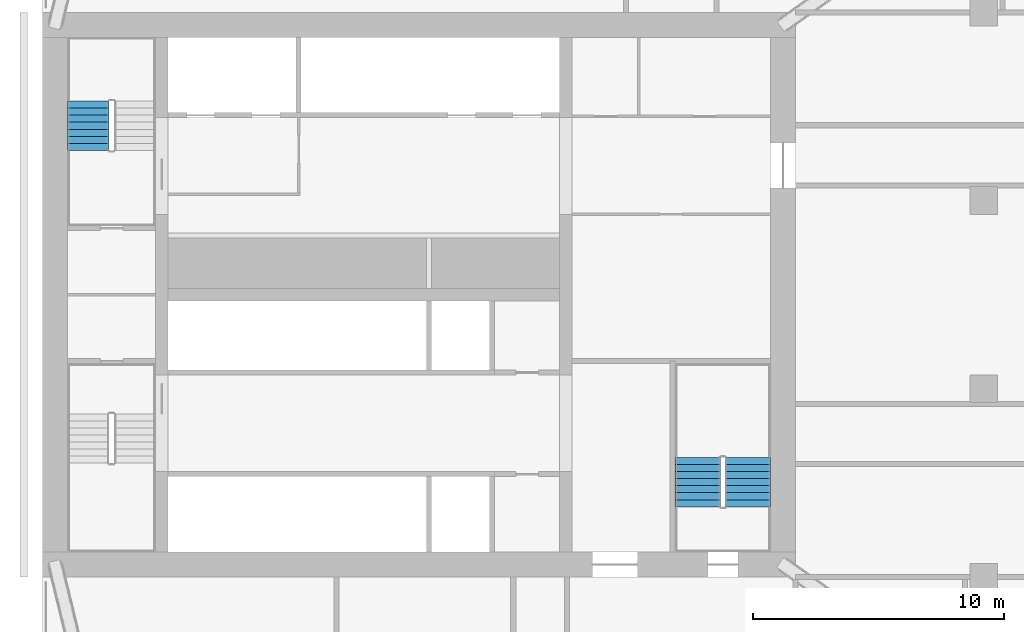
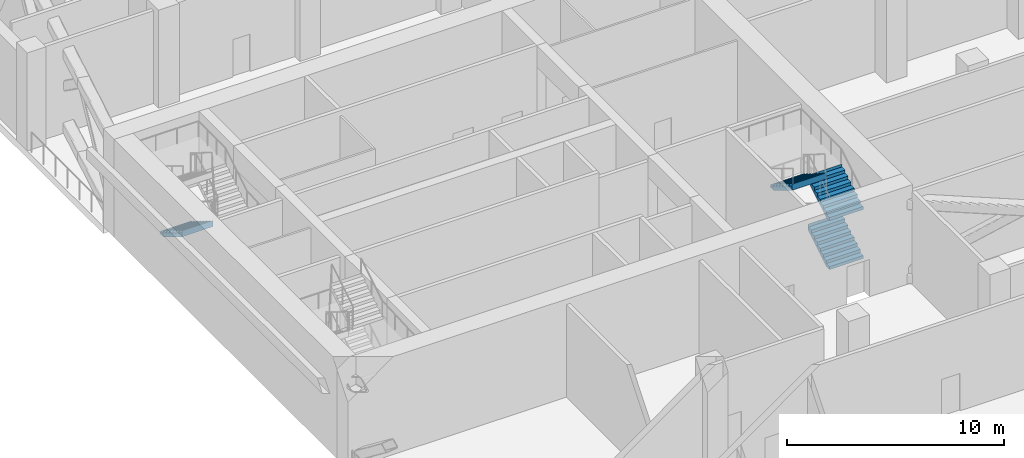
# One storey, part 7 of 10: 4 stair flights, 2 elements without a shape of their own.
"""IFC4 building model written with IfcOpenShell, lengths in metres."""

from ifc_helpers import new_model, si_unit, direction, frame, origin, place, context, subcontext, project, spatial, polyline, outline, extrude, material, type_object, element, aggregate, save


model = new_model("IFC4")

# Units and contexts
model_context = context("Model", 3, precision=1e-05, world=origin(), true_north=direction((0.0, 1.0)))
body_context = subcontext(model_context, "Body", "Model", "MODEL_VIEW")
ifc_project = project(units=[si_unit("LENGTHUNIT", "METRE"), si_unit("AREAUNIT", "SQUARE_METRE"), si_unit("VOLUMEUNIT", "CUBIC_METRE"), si_unit("PLANEANGLEUNIT", "RADIAN"), si_unit("MASSUNIT", "GRAM", prefix="KILO")], contexts=[model_context])

# Site, building, storey
site_placement = place(None, origin())
site = spatial("IfcSite", under=ifc_project, at=site_placement, CompositionType="ELEMENT")
building_placement = place(site_placement, origin())
building = spatial("IfcBuilding", under=site, at=building_placement, Name="Tamorin Gate", CompositionType="ELEMENT")
storey_placement = place(building_placement, frame((0.0, 0.0, 118.699951171875)))
storey = spatial("IfcBuildingStorey", under=building, at=storey_placement, Name="L29", CompositionType="ELEMENT", Elevation=118.699951171875)

# Stair, stair flight
ifc_material = material(Name="Concrete C40/50", Category="concrete")
stair_type = type_object("IfcStairType", Name="Exit stair", PredefinedType="HALF_TURN_STAIR", material=ifc_material)
stair_1_placement = place(storey_placement, origin())
stair_1 = element("IfcStair", 1, at=stair_1_placement, inside=storey, type_object=stair_type, Name="L29 stair ST2", PredefinedType="HALF_TURN_STAIR")
stair_flight_type = type_object("IfcStairFlightType", Name="Exit stair flight", PredefinedType="STRAIGHT", material=ifc_material)
stair_flight_1_placement = place(storey_placement, frame((31.824951171875, 78.9599609375, 1.375), z_axis=(0.0, 0.0, 1.0), x_axis=(0.0, -1.0, 0.0)))
stair_flight_1 = element("IfcStairFlight", 2, at=stair_flight_1_placement, type_object=stair_flight_type, Name="ST2 flight 2", NumberOfRisers=8, NumberOfTreads=7, PredefinedType="STRAIGHT", RiserHeight=0.171875, TreadLength=0.28, context=body_context, shape_type="SweptSolid", body=[
    extrude(outline(polyline([(-0.00048828125, 0.0), (-0.00048828125, 0.001708984375), (-0.00048828125, 0.00341796875), (-0.00048828125, 0.005126953125), (-0.00048828125, 0.0068359375), (-0.00048828125, 0.008544921875), (-0.00048828125, 0.01025390625), (-0.00048828125, 0.011962890625), (-0.00048828125, 0.013671875), (-0.00048828125, 0.015380859375), (-0.00048828125, 0.01708984375), (-0.00048828125, 0.018798828125), (-0.00048828125, 0.0205078125), (-0.00048828125, 0.022216796875), (-0.00048828125, 0.02392578125), (-0.00048828125, 0.025634765625), (-0.00048828125, 0.02734375), (-0.00048828125, 0.02880859375), (-0.00048828125, 0.030517578125), (-0.00048828125, 0.0322265625), (-0.00048828125, 0.033935546875), (-0.00048828125, 0.03564453125), (-0.00048828125, 0.037353515625), (-0.00048828125, 0.0390625), (-0.00048828125, 0.040771484375), (-0.00048828125, 0.04248046875), (-0.00048828125, 0.044189453125), (-0.00048828125, 0.0458984375), (-0.00048828125, 0.047607421875), (-0.00048828125, 0.04931640625), (-0.00048828125, 0.051025390625), (-0.00048828125, 0.052734375), (-0.00048828125, 0.054443359375), (-0.00048828125, 0.05615234375), (-0.00048828125, 0.057861328125), (-0.00048828125, 0.0595703125), (-0.00048828125, 0.061279296875), (-0.00048828125, 0.06298828125), (-0.00048828125, 0.064697265625), (-0.00048828125, 0.06640625), (-0.00048828125, 0.068115234375), (-0.00048828125, 0.06982421875), (-0.00048828125, 0.071533203125), (-0.00048828125, 0.0732421875), (-0.00048828125, 0.074951171875), (-0.00048828125, 0.07666015625), (-0.00048828125, 0.078369140625), (-0.00048828125, 0.080078125), (-0.00048828125, 0.081787109375), (-0.00048828125, 0.08349609375), (-0.00048828125, 0.085205078125), (-0.00048828125, 0.086669921875), (-0.00048828125, 0.08837890625), (-0.00048828125, 0.090087890625), (-0.00048828125, 0.091796875), (-0.00048828125, 0.093505859375), (-0.00048828125, 0.09521484375), (-0.00048828125, 0.096923828125), (-0.00048828125, 0.0986328125), (-0.00048828125, 0.100341796875), (-0.00048828125, 0.10205078125), (-0.00048828125, 0.103759765625), (-0.00048828125, 0.10546875), (-0.00048828125, 0.107177734375), (-0.00048828125, 0.10888671875), (-0.00048828125, 0.110595703125), (-0.00048828125, 0.1123046875), (-0.00048828125, 0.114013671875), (-0.00048828125, 0.11572265625), (-0.00048828125, 0.117431640625), (-0.00048828125, 0.119140625), (-0.00048828125, 0.120849609375), (-0.00048828125, 0.12255859375), (-0.00048828125, 0.124267578125), (-0.00048828125, 0.1259765625), (-0.00048828125, 0.127685546875), (-0.00048828125, 0.12939453125), (-0.00048828125, 0.131103515625), (-0.00048828125, 0.1328125), (-0.00048828125, 0.134521484375), (-0.00048828125, 0.13623046875), (-0.00048828125, 0.137939453125), (-0.00048828125, 0.1396484375), (-0.00048828125, 0.141357421875), (-0.00048828125, 0.14306640625), (-0.00048828125, 0.14453125), (-0.00048828125, 0.146240234375), (-0.00048828125, 0.14794921875), (-0.00048828125, 0.149658203125), (-0.00048828125, 0.1513671875), (-0.00048828125, 0.153076171875), (-0.00048828125, 0.15478515625), (-0.00048828125, 0.156494140625), (-0.00048828125, 0.158203125), (-0.00048828125, 0.159912109375), (-0.00048828125, 0.16162109375), (-0.00048828125, 0.163330078125), (-0.00048828125, 0.1650390625), (-0.00048828125, 0.166748046875), (-0.00048828125, 0.16845703125), (-0.00048828125, 0.170166015625), (-0.00048828125, 0.171875), (0.280029296875, 0.171875), (0.280029296875, 0.34375), (0.56005859375, 0.34375), (0.56005859375, 0.515625), (0.840087890625, 0.515625), (0.840087890625, 0.6875), (1.1201171875, 0.6875), (1.1201171875, 0.859375), (1.39990234375, 0.859375), (1.39990234375, 1.03125), (1.679931640625, 1.03125), (1.679931640625, 1.203125), (1.9599609375, 1.203125), (1.9599609375, 1.375), (1.96044921875, 1.375), (1.96044921875, 1.37158203125), (1.96044921875, 1.3681640625), (1.96044921875, 1.36474609375), (1.96044921875, 1.361328125), (1.96044921875, 1.357666015625), (1.96044921875, 1.354248046875), (1.96044921875, 1.350830078125), (1.96044921875, 1.347412109375), (1.96044921875, 1.343994140625), (1.96044921875, 1.340576171875), (1.96044921875, 1.337158203125), (1.96044921875, 1.333740234375), (1.96044921875, 1.330322265625), (1.96044921875, 1.326904296875), (1.96044921875, 1.3232421875), (1.96044921875, 1.31982421875), (1.96044921875, 1.31640625), (1.96044921875, 1.31298828125), (1.96044921875, 1.3095703125), (1.96044921875, 1.30615234375), (1.96044921875, 1.302734375), (1.96044921875, 1.29931640625), (1.96044921875, 1.2958984375), (1.96044921875, 1.29248046875), (1.96044921875, 1.288818359375), (1.96044921875, 1.285400390625), (1.96044921875, 1.281982421875), (1.96044921875, 1.278564453125), (1.96044921875, 1.275146484375), (1.96044921875, 1.271728515625), (1.96044921875, 1.268310546875), (1.96044921875, 1.264892578125), (1.96044921875, 1.261474609375), (1.96044921875, 1.2578125), (1.96044921875, 1.25439453125), (1.96044921875, 1.2509765625), (1.96044921875, 1.24755859375), (1.96044921875, 1.244140625), (1.96044921875, 1.24072265625), (1.96044921875, 1.2373046875), (1.96044921875, 1.23388671875), (1.96044921875, 1.23046875), (1.96044921875, 1.22705078125), (1.96044921875, 1.223388671875), (1.96044921875, 1.219970703125), (1.96044921875, 1.216552734375), (1.96044921875, 1.213134765625), (1.96044921875, 1.209716796875), (1.96044921875, 1.206298828125), (1.96044921875, 1.202880859375), (1.96044921875, 1.199462890625), (1.96044921875, 1.196044921875), (1.96044921875, 1.192626953125), (1.96044921875, 1.18896484375), (1.96044921875, 1.185546875), (1.96044921875, 1.18212890625), (1.96044921875, 1.1787109375), (1.96044921875, 1.17529296875), (1.96044921875, 1.171875), (1.96044921875, 1.16845703125), (1.96044921875, 1.1650390625), (1.96044921875, 1.16162109375), (1.96044921875, 1.157958984375), (1.96044921875, 1.154541015625), (1.96044921875, 1.151123046875), (1.96044921875, 1.147705078125), (1.96044921875, 1.144287109375), (1.96044921875, 1.140869140625), (1.96044921875, 1.137451171875), (1.96044921875, 1.134033203125), (1.96044921875, 1.130615234375), (1.96044921875, 1.127197265625), (1.96044921875, 1.12353515625), (1.96044921875, 1.1201171875), (1.96044921875, 1.11669921875), (1.96044921875, 1.11328125), (1.96044921875, 1.10986328125), (1.96044921875, 1.1064453125), (1.96044921875, 1.10302734375), (1.96044921875, 1.099609375), (1.96044921875, 1.09619140625), (1.96044921875, 1.0927734375), (1.96044921875, 1.089111328125), (1.96044921875, 1.085693359375), (1.96044921875, 1.082275390625), (1.96044921875, 1.078857421875), (1.96044921875, 1.075439453125), (1.96044921875, 1.072021484375), (1.96044921875, 1.068603515625), (1.96044921875, 1.065185546875), (1.96044921875, 1.061767578125), (1.96044921875, 1.05810546875), (1.96044921875, 1.0546875), (1.96044921875, 1.05126953125), (1.96044921875, 1.0478515625), (1.96044921875, 1.04443359375), (1.96044921875, 1.041015625), (1.96044921875, 1.03759765625), (1.96044921875, 1.0341796875), (1.96044921875, 1.03076171875), (1.96044921875, 1.02734375), (1.9599609375, 1.02734375), (0.28662109375, 0.0), (-0.00048828125, 0.0)])), frame((0.0, 0.824951171875, 0.0), z_axis=(0.0, -1.0, 0.0), x_axis=(1.0, 0.0, 0.0)), (0.0, 0.0, 1.0), 1.64990234375),
])
aggregate(stair_1, [stair_flight_1])

# Stair, stair flights
stair_2_placement = place(storey_placement, origin())
stair_2 = element("IfcStair", 3, at=stair_2_placement, inside=storey, type_object=stair_type, Name="L29 stair ST3", PredefinedType="HALF_TURN_STAIR")
stair_flight_2_placement = place(storey_placement, frame((58.10009765625, 62.800048828125, 0.0), z_axis=(0.0, 0.0, 1.0), x_axis=(0.0, 1.0, 0.0)))
stair_flight_2 = element("IfcStairFlight", 4, at=stair_flight_2_placement, type_object=stair_flight_type, Name="ST3 flight 1", NumberOfRisers=8, NumberOfTreads=7, PredefinedType="STRAIGHT", RiserHeight=0.171875, TreadLength=0.28, context=body_context, shape_type="SweptSolid", body=[
    extrude(outline(polyline([(-0.00048828125, 0.0), (-0.00048828125, 0.001708984375), (-0.00048828125, 0.00341796875), (-0.00048828125, 0.005126953125), (-0.00048828125, 0.0068359375), (-0.00048828125, 0.008544921875), (-0.00048828125, 0.01025390625), (-0.00048828125, 0.011962890625), (-0.00048828125, 0.013671875), (-0.00048828125, 0.015380859375), (-0.00048828125, 0.01708984375), (-0.00048828125, 0.018798828125), (-0.00048828125, 0.0205078125), (-0.00048828125, 0.022216796875), (-0.00048828125, 0.02392578125), (-0.00048828125, 0.025634765625), (-0.00048828125, 0.02734375), (-0.00048828125, 0.02880859375), (-0.00048828125, 0.030517578125), (-0.00048828125, 0.0322265625), (-0.00048828125, 0.033935546875), (-0.00048828125, 0.03564453125), (-0.00048828125, 0.037353515625), (-0.00048828125, 0.0390625), (-0.00048828125, 0.040771484375), (-0.00048828125, 0.04248046875), (-0.00048828125, 0.044189453125), (-0.00048828125, 0.0458984375), (-0.00048828125, 0.047607421875), (-0.00048828125, 0.04931640625), (-0.00048828125, 0.051025390625), (-0.00048828125, 0.052734375), (-0.00048828125, 0.054443359375), (-0.00048828125, 0.05615234375), (-0.00048828125, 0.057861328125), (-0.00048828125, 0.0595703125), (-0.00048828125, 0.061279296875), (-0.00048828125, 0.06298828125), (-0.00048828125, 0.064697265625), (-0.00048828125, 0.06640625), (-0.00048828125, 0.068115234375), (-0.00048828125, 0.06982421875), (-0.00048828125, 0.071533203125), (-0.00048828125, 0.0732421875), (-0.00048828125, 0.074951171875), (-0.00048828125, 0.07666015625), (-0.00048828125, 0.078369140625), (-0.00048828125, 0.080078125), (-0.00048828125, 0.081787109375), (-0.00048828125, 0.08349609375), (-0.00048828125, 0.085205078125), (-0.00048828125, 0.086669921875), (-0.00048828125, 0.08837890625), (-0.00048828125, 0.090087890625), (-0.00048828125, 0.091796875), (-0.00048828125, 0.093505859375), (-0.00048828125, 0.09521484375), (-0.00048828125, 0.096923828125), (-0.00048828125, 0.0986328125), (-0.00048828125, 0.100341796875), (-0.00048828125, 0.10205078125), (-0.00048828125, 0.103759765625), (-0.00048828125, 0.10546875), (-0.00048828125, 0.107177734375), (-0.00048828125, 0.10888671875), (-0.00048828125, 0.110595703125), (-0.00048828125, 0.1123046875), (-0.00048828125, 0.114013671875), (-0.00048828125, 0.11572265625), (-0.00048828125, 0.117431640625), (-0.00048828125, 0.119140625), (-0.00048828125, 0.120849609375), (-0.00048828125, 0.12255859375), (-0.00048828125, 0.124267578125), (-0.00048828125, 0.1259765625), (-0.00048828125, 0.127685546875), (-0.00048828125, 0.12939453125), (-0.00048828125, 0.131103515625), (-0.00048828125, 0.1328125), (-0.00048828125, 0.134521484375), (-0.00048828125, 0.13623046875), (-0.00048828125, 0.137939453125), (-0.00048828125, 0.1396484375), (-0.00048828125, 0.141357421875), (-0.00048828125, 0.14306640625), (-0.00048828125, 0.14453125), (-0.00048828125, 0.146240234375), (-0.00048828125, 0.14794921875), (-0.00048828125, 0.149658203125), (-0.00048828125, 0.1513671875), (-0.00048828125, 0.153076171875), (-0.00048828125, 0.15478515625), (-0.00048828125, 0.156494140625), (-0.00048828125, 0.158203125), (-0.00048828125, 0.159912109375), (-0.00048828125, 0.16162109375), (-0.00048828125, 0.163330078125), (-0.00048828125, 0.1650390625), (-0.00048828125, 0.166748046875), (-0.00048828125, 0.16845703125), (-0.00048828125, 0.170166015625), (-0.00048828125, 0.171875), (0.280029296875, 0.171875), (0.280029296875, 0.34375), (0.56005859375, 0.34375), (0.56005859375, 0.515625), (0.840087890625, 0.515625), (0.840087890625, 0.6875), (1.1201171875, 0.6875), (1.1201171875, 0.859375), (1.39990234375, 0.859375), (1.39990234375, 1.03125), (1.679931640625, 1.03125), (1.679931640625, 1.203125), (1.9599609375, 1.203125), (1.9599609375, 1.375), (1.96044921875, 1.375), (1.96044921875, 1.37158203125), (1.96044921875, 1.3681640625), (1.96044921875, 1.36474609375), (1.96044921875, 1.361328125), (1.96044921875, 1.357666015625), (1.96044921875, 1.354248046875), (1.96044921875, 1.350830078125), (1.96044921875, 1.347412109375), (1.96044921875, 1.343994140625), (1.96044921875, 1.340576171875), (1.96044921875, 1.337158203125), (1.96044921875, 1.333740234375), (1.96044921875, 1.330322265625), (1.96044921875, 1.326904296875), (1.96044921875, 1.3232421875), (1.96044921875, 1.31982421875), (1.96044921875, 1.31640625), (1.96044921875, 1.31298828125), (1.96044921875, 1.3095703125), (1.96044921875, 1.30615234375), (1.96044921875, 1.302734375), (1.96044921875, 1.29931640625), (1.96044921875, 1.2958984375), (1.96044921875, 1.29248046875), (1.96044921875, 1.288818359375), (1.96044921875, 1.285400390625), (1.96044921875, 1.281982421875), (1.96044921875, 1.278564453125), (1.96044921875, 1.275146484375), (1.96044921875, 1.271728515625), (1.96044921875, 1.268310546875), (1.96044921875, 1.264892578125), (1.96044921875, 1.261474609375), (1.96044921875, 1.2578125), (1.96044921875, 1.25439453125), (1.96044921875, 1.2509765625), (1.96044921875, 1.24755859375), (1.96044921875, 1.244140625), (1.96044921875, 1.24072265625), (1.96044921875, 1.2373046875), (1.96044921875, 1.23388671875), (1.96044921875, 1.23046875), (1.96044921875, 1.22705078125), (1.96044921875, 1.223388671875), (1.96044921875, 1.219970703125), (1.96044921875, 1.216552734375), (1.96044921875, 1.213134765625), (1.96044921875, 1.209716796875), (1.96044921875, 1.206298828125), (1.96044921875, 1.202880859375), (1.96044921875, 1.199462890625), (1.96044921875, 1.196044921875), (1.96044921875, 1.192626953125), (1.96044921875, 1.18896484375), (1.96044921875, 1.185546875), (1.96044921875, 1.18212890625), (1.96044921875, 1.1787109375), (1.96044921875, 1.17529296875), (1.96044921875, 1.171875), (1.96044921875, 1.16845703125), (1.96044921875, 1.1650390625), (1.96044921875, 1.16162109375), (1.96044921875, 1.157958984375), (1.96044921875, 1.154541015625), (1.96044921875, 1.151123046875), (1.96044921875, 1.147705078125), (1.96044921875, 1.144287109375), (1.96044921875, 1.140869140625), (1.96044921875, 1.137451171875), (1.96044921875, 1.134033203125), (1.96044921875, 1.130615234375), (1.96044921875, 1.127197265625), (1.96044921875, 1.12353515625), (1.96044921875, 1.1201171875), (1.96044921875, 1.11669921875), (1.96044921875, 1.11328125), (1.96044921875, 1.10986328125), (1.96044921875, 1.1064453125), (1.96044921875, 1.10302734375), (1.96044921875, 1.099609375), (1.96044921875, 1.09619140625), (1.96044921875, 1.0927734375), (1.96044921875, 1.089111328125), (1.96044921875, 1.085693359375), (1.96044921875, 1.082275390625), (1.96044921875, 1.078857421875), (1.96044921875, 1.075439453125), (1.96044921875, 1.072021484375), (1.96044921875, 1.068603515625), (1.96044921875, 1.065185546875), (1.96044921875, 1.061767578125), (1.96044921875, 1.05810546875), (1.96044921875, 1.0546875), (1.96044921875, 1.05126953125), (1.96044921875, 1.0478515625), (1.96044921875, 1.04443359375), (1.96044921875, 1.041015625), (1.96044921875, 1.03759765625), (1.96044921875, 1.0341796875), (1.96044921875, 1.03076171875), (1.96044921875, 1.02734375), (1.9599609375, 1.02734375), (0.28662109375, 0.0), (-0.00048828125, 0.0)])), frame((0.0, 0.89990234375, 0.0), z_axis=(0.0, -1.0, 0.0), x_axis=(1.0, 0.0, 0.0)), (0.0, 0.0, 1.0), 1.800048828125),
])
stair_flight_3_placement = place(storey_placement, frame((58.10009765625, 62.800048828125, 2.75), z_axis=(0.0, 0.0, 1.0), x_axis=(0.0, 1.0, 0.0)))
stair_flight_3 = element("IfcStairFlight", 5, at=stair_flight_3_placement, type_object=stair_flight_type, Name="ST3 flight 3", NumberOfRisers=8, NumberOfTreads=7, PredefinedType="STRAIGHT", RiserHeight=0.171875, TreadLength=0.28, context=body_context, shape_type="SweptSolid", body=[
    extrude(outline(polyline([(-0.00048828125, 0.0), (-0.00048828125, 0.001708984375), (-0.00048828125, 0.00341796875), (-0.00048828125, 0.005126953125), (-0.00048828125, 0.0068359375), (-0.00048828125, 0.008544921875), (-0.00048828125, 0.01025390625), (-0.00048828125, 0.011962890625), (-0.00048828125, 0.013671875), (-0.00048828125, 0.015380859375), (-0.00048828125, 0.01708984375), (-0.00048828125, 0.018798828125), (-0.00048828125, 0.0205078125), (-0.00048828125, 0.022216796875), (-0.00048828125, 0.02392578125), (-0.00048828125, 0.025634765625), (-0.00048828125, 0.02734375), (-0.00048828125, 0.02880859375), (-0.00048828125, 0.030517578125), (-0.00048828125, 0.0322265625), (-0.00048828125, 0.033935546875), (-0.00048828125, 0.03564453125), (-0.00048828125, 0.037353515625), (-0.00048828125, 0.0390625), (-0.00048828125, 0.040771484375), (-0.00048828125, 0.04248046875), (-0.00048828125, 0.044189453125), (-0.00048828125, 0.0458984375), (-0.00048828125, 0.047607421875), (-0.00048828125, 0.04931640625), (-0.00048828125, 0.051025390625), (-0.00048828125, 0.052734375), (-0.00048828125, 0.054443359375), (-0.00048828125, 0.05615234375), (-0.00048828125, 0.057861328125), (-0.00048828125, 0.0595703125), (-0.00048828125, 0.061279296875), (-0.00048828125, 0.06298828125), (-0.00048828125, 0.064697265625), (-0.00048828125, 0.06640625), (-0.00048828125, 0.068115234375), (-0.00048828125, 0.06982421875), (-0.00048828125, 0.071533203125), (-0.00048828125, 0.0732421875), (-0.00048828125, 0.074951171875), (-0.00048828125, 0.07666015625), (-0.00048828125, 0.078369140625), (-0.00048828125, 0.080078125), (-0.00048828125, 0.081787109375), (-0.00048828125, 0.08349609375), (-0.00048828125, 0.085205078125), (-0.00048828125, 0.086669921875), (-0.00048828125, 0.08837890625), (-0.00048828125, 0.090087890625), (-0.00048828125, 0.091796875), (-0.00048828125, 0.093505859375), (-0.00048828125, 0.09521484375), (-0.00048828125, 0.096923828125), (-0.00048828125, 0.0986328125), (-0.00048828125, 0.100341796875), (-0.00048828125, 0.10205078125), (-0.00048828125, 0.103759765625), (-0.00048828125, 0.10546875), (-0.00048828125, 0.107177734375), (-0.00048828125, 0.10888671875), (-0.00048828125, 0.110595703125), (-0.00048828125, 0.1123046875), (-0.00048828125, 0.114013671875), (-0.00048828125, 0.11572265625), (-0.00048828125, 0.117431640625), (-0.00048828125, 0.119140625), (-0.00048828125, 0.120849609375), (-0.00048828125, 0.12255859375), (-0.00048828125, 0.124267578125), (-0.00048828125, 0.1259765625), (-0.00048828125, 0.127685546875), (-0.00048828125, 0.12939453125), (-0.00048828125, 0.131103515625), (-0.00048828125, 0.1328125), (-0.00048828125, 0.134521484375), (-0.00048828125, 0.13623046875), (-0.00048828125, 0.137939453125), (-0.00048828125, 0.1396484375), (-0.00048828125, 0.141357421875), (-0.00048828125, 0.14306640625), (-0.00048828125, 0.14453125), (-0.00048828125, 0.146240234375), (-0.00048828125, 0.14794921875), (-0.00048828125, 0.149658203125), (-0.00048828125, 0.1513671875), (-0.00048828125, 0.153076171875), (-0.00048828125, 0.15478515625), (-0.00048828125, 0.156494140625), (-0.00048828125, 0.158203125), (-0.00048828125, 0.159912109375), (-0.00048828125, 0.16162109375), (-0.00048828125, 0.163330078125), (-0.00048828125, 0.1650390625), (-0.00048828125, 0.166748046875), (-0.00048828125, 0.16845703125), (-0.00048828125, 0.170166015625), (-0.00048828125, 0.171875), (0.280029296875, 0.171875), (0.280029296875, 0.34375), (0.56005859375, 0.34375), (0.56005859375, 0.515625), (0.840087890625, 0.515625), (0.840087890625, 0.6875), (1.1201171875, 0.6875), (1.1201171875, 0.859375), (1.39990234375, 0.859375), (1.39990234375, 1.03125), (1.679931640625, 1.03125), (1.679931640625, 1.203125), (1.9599609375, 1.203125), (1.9599609375, 1.375), (1.96044921875, 1.375), (1.96044921875, 1.37158203125), (1.96044921875, 1.3681640625), (1.96044921875, 1.36474609375), (1.96044921875, 1.361328125), (1.96044921875, 1.357666015625), (1.96044921875, 1.354248046875), (1.96044921875, 1.350830078125), (1.96044921875, 1.347412109375), (1.96044921875, 1.343994140625), (1.96044921875, 1.340576171875), (1.96044921875, 1.337158203125), (1.96044921875, 1.333740234375), (1.96044921875, 1.330322265625), (1.96044921875, 1.326904296875), (1.96044921875, 1.3232421875), (1.96044921875, 1.31982421875), (1.96044921875, 1.31640625), (1.96044921875, 1.31298828125), (1.96044921875, 1.3095703125), (1.96044921875, 1.30615234375), (1.96044921875, 1.302734375), (1.96044921875, 1.29931640625), (1.96044921875, 1.2958984375), (1.96044921875, 1.29248046875), (1.96044921875, 1.288818359375), (1.96044921875, 1.285400390625), (1.96044921875, 1.281982421875), (1.96044921875, 1.278564453125), (1.96044921875, 1.275146484375), (1.96044921875, 1.271728515625), (1.96044921875, 1.268310546875), (1.96044921875, 1.264892578125), (1.96044921875, 1.261474609375), (1.96044921875, 1.2578125), (1.96044921875, 1.25439453125), (1.96044921875, 1.2509765625), (1.96044921875, 1.24755859375), (1.96044921875, 1.244140625), (1.96044921875, 1.24072265625), (1.96044921875, 1.2373046875), (1.96044921875, 1.23388671875), (1.96044921875, 1.23046875), (1.96044921875, 1.22705078125), (1.96044921875, 1.223388671875), (1.96044921875, 1.219970703125), (1.96044921875, 1.216552734375), (1.96044921875, 1.213134765625), (1.96044921875, 1.209716796875), (1.96044921875, 1.206298828125), (1.96044921875, 1.202880859375), (1.96044921875, 1.199462890625), (1.96044921875, 1.196044921875), (1.96044921875, 1.192626953125), (1.96044921875, 1.18896484375), (1.96044921875, 1.185546875), (1.96044921875, 1.18212890625), (1.96044921875, 1.1787109375), (1.96044921875, 1.17529296875), (1.96044921875, 1.171875), (1.96044921875, 1.16845703125), (1.96044921875, 1.1650390625), (1.96044921875, 1.16162109375), (1.96044921875, 1.157958984375), (1.96044921875, 1.154541015625), (1.96044921875, 1.151123046875), (1.96044921875, 1.147705078125), (1.96044921875, 1.144287109375), (1.96044921875, 1.140869140625), (1.96044921875, 1.137451171875), (1.96044921875, 1.134033203125), (1.96044921875, 1.130615234375), (1.96044921875, 1.127197265625), (1.96044921875, 1.12353515625), (1.96044921875, 1.1201171875), (1.96044921875, 1.11669921875), (1.96044921875, 1.11328125), (1.96044921875, 1.10986328125), (1.96044921875, 1.1064453125), (1.96044921875, 1.10302734375), (1.96044921875, 1.099609375), (1.96044921875, 1.09619140625), (1.96044921875, 1.0927734375), (1.96044921875, 1.089111328125), (1.96044921875, 1.085693359375), (1.96044921875, 1.082275390625), (1.96044921875, 1.078857421875), (1.96044921875, 1.075439453125), (1.96044921875, 1.072021484375), (1.96044921875, 1.068603515625), (1.96044921875, 1.065185546875), (1.96044921875, 1.061767578125), (1.96044921875, 1.05810546875), (1.96044921875, 1.0546875), (1.96044921875, 1.05126953125), (1.96044921875, 1.0478515625), (1.96044921875, 1.04443359375), (1.96044921875, 1.041015625), (1.96044921875, 1.03759765625), (1.96044921875, 1.0341796875), (1.96044921875, 1.03076171875), (1.96044921875, 1.02734375), (1.9599609375, 1.02734375), (0.28662109375, 0.0), (-0.00048828125, 0.0)])), frame((0.0, 0.89990234375, 0.0), z_axis=(0.0, -1.0, 0.0), x_axis=(1.0, 0.0, 0.0)), (0.0, 0.0, 1.0), 1.800048828125),
])
stair_flight_4_placement = place(storey_placement, frame((56.10009765625, 64.760009765625, 4.125), z_axis=(0.0, 0.0, 1.0), x_axis=(0.0, -1.0, 0.0)))
stair_flight_4 = element("IfcStairFlight", 6, at=stair_flight_4_placement, type_object=stair_flight_type, Name="ST3 flight 4", NumberOfRisers=8, NumberOfTreads=7, PredefinedType="STRAIGHT", RiserHeight=0.171875, TreadLength=0.28, context=body_context, shape_type="SweptSolid", body=[
    extrude(outline(polyline([(-0.00048828125, 0.0), (-0.00048828125, 0.001708984375), (-0.00048828125, 0.00341796875), (-0.00048828125, 0.005126953125), (-0.00048828125, 0.0068359375), (-0.00048828125, 0.008544921875), (-0.00048828125, 0.01025390625), (-0.00048828125, 0.011962890625), (-0.00048828125, 0.013671875), (-0.00048828125, 0.015380859375), (-0.00048828125, 0.01708984375), (-0.00048828125, 0.018798828125), (-0.00048828125, 0.0205078125), (-0.00048828125, 0.022216796875), (-0.00048828125, 0.02392578125), (-0.00048828125, 0.025634765625), (-0.00048828125, 0.02734375), (-0.00048828125, 0.02880859375), (-0.00048828125, 0.030517578125), (-0.00048828125, 0.0322265625), (-0.00048828125, 0.033935546875), (-0.00048828125, 0.03564453125), (-0.00048828125, 0.037353515625), (-0.00048828125, 0.0390625), (-0.00048828125, 0.040771484375), (-0.00048828125, 0.04248046875), (-0.00048828125, 0.044189453125), (-0.00048828125, 0.0458984375), (-0.00048828125, 0.047607421875), (-0.00048828125, 0.04931640625), (-0.00048828125, 0.051025390625), (-0.00048828125, 0.052734375), (-0.00048828125, 0.054443359375), (-0.00048828125, 0.05615234375), (-0.00048828125, 0.057861328125), (-0.00048828125, 0.0595703125), (-0.00048828125, 0.061279296875), (-0.00048828125, 0.06298828125), (-0.00048828125, 0.064697265625), (-0.00048828125, 0.06640625), (-0.00048828125, 0.068115234375), (-0.00048828125, 0.06982421875), (-0.00048828125, 0.071533203125), (-0.00048828125, 0.0732421875), (-0.00048828125, 0.074951171875), (-0.00048828125, 0.07666015625), (-0.00048828125, 0.078369140625), (-0.00048828125, 0.080078125), (-0.00048828125, 0.081787109375), (-0.00048828125, 0.08349609375), (-0.00048828125, 0.085205078125), (-0.00048828125, 0.086669921875), (-0.00048828125, 0.08837890625), (-0.00048828125, 0.090087890625), (-0.00048828125, 0.091796875), (-0.00048828125, 0.093505859375), (-0.00048828125, 0.09521484375), (-0.00048828125, 0.096923828125), (-0.00048828125, 0.0986328125), (-0.00048828125, 0.100341796875), (-0.00048828125, 0.10205078125), (-0.00048828125, 0.103759765625), (-0.00048828125, 0.10546875), (-0.00048828125, 0.107177734375), (-0.00048828125, 0.10888671875), (-0.00048828125, 0.110595703125), (-0.00048828125, 0.1123046875), (-0.00048828125, 0.114013671875), (-0.00048828125, 0.11572265625), (-0.00048828125, 0.117431640625), (-0.00048828125, 0.119140625), (-0.00048828125, 0.120849609375), (-0.00048828125, 0.12255859375), (-0.00048828125, 0.124267578125), (-0.00048828125, 0.1259765625), (-0.00048828125, 0.127685546875), (-0.00048828125, 0.12939453125), (-0.00048828125, 0.131103515625), (-0.00048828125, 0.1328125), (-0.00048828125, 0.134521484375), (-0.00048828125, 0.13623046875), (-0.00048828125, 0.137939453125), (-0.00048828125, 0.1396484375), (-0.00048828125, 0.141357421875), (-0.00048828125, 0.14306640625), (-0.00048828125, 0.14453125), (-0.00048828125, 0.146240234375), (-0.00048828125, 0.14794921875), (-0.00048828125, 0.149658203125), (-0.00048828125, 0.1513671875), (-0.00048828125, 0.153076171875), (-0.00048828125, 0.15478515625), (-0.00048828125, 0.156494140625), (-0.00048828125, 0.158203125), (-0.00048828125, 0.159912109375), (-0.00048828125, 0.16162109375), (-0.00048828125, 0.163330078125), (-0.00048828125, 0.1650390625), (-0.00048828125, 0.166748046875), (-0.00048828125, 0.16845703125), (-0.00048828125, 0.170166015625), (-0.00048828125, 0.171875), (0.280029296875, 0.171875), (0.280029296875, 0.34375), (0.56005859375, 0.34375), (0.56005859375, 0.515625), (0.840087890625, 0.515625), (0.840087890625, 0.6875), (1.1201171875, 0.6875), (1.1201171875, 0.859375), (1.39990234375, 0.859375), (1.39990234375, 1.03125), (1.679931640625, 1.03125), (1.679931640625, 1.203125), (1.9599609375, 1.203125), (1.9599609375, 1.375), (1.96044921875, 1.375), (1.96044921875, 1.37158203125), (1.96044921875, 1.3681640625), (1.96044921875, 1.36474609375), (1.96044921875, 1.361328125), (1.96044921875, 1.357666015625), (1.96044921875, 1.354248046875), (1.96044921875, 1.350830078125), (1.96044921875, 1.347412109375), (1.96044921875, 1.343994140625), (1.96044921875, 1.340576171875), (1.96044921875, 1.337158203125), (1.96044921875, 1.333740234375), (1.96044921875, 1.330322265625), (1.96044921875, 1.326904296875), (1.96044921875, 1.3232421875), (1.96044921875, 1.31982421875), (1.96044921875, 1.31640625), (1.96044921875, 1.31298828125), (1.96044921875, 1.3095703125), (1.96044921875, 1.30615234375), (1.96044921875, 1.302734375), (1.96044921875, 1.29931640625), (1.96044921875, 1.2958984375), (1.96044921875, 1.29248046875), (1.96044921875, 1.288818359375), (1.96044921875, 1.285400390625), (1.96044921875, 1.281982421875), (1.96044921875, 1.278564453125), (1.96044921875, 1.275146484375), (1.96044921875, 1.271728515625), (1.96044921875, 1.268310546875), (1.96044921875, 1.264892578125), (1.96044921875, 1.261474609375), (1.96044921875, 1.2578125), (1.96044921875, 1.25439453125), (1.96044921875, 1.2509765625), (1.96044921875, 1.24755859375), (1.96044921875, 1.244140625), (1.96044921875, 1.24072265625), (1.96044921875, 1.2373046875), (1.96044921875, 1.23388671875), (1.96044921875, 1.23046875), (1.96044921875, 1.22705078125), (1.96044921875, 1.223388671875), (1.96044921875, 1.219970703125), (1.96044921875, 1.216552734375), (1.96044921875, 1.213134765625), (1.96044921875, 1.209716796875), (1.96044921875, 1.206298828125), (1.96044921875, 1.202880859375), (1.96044921875, 1.199462890625), (1.96044921875, 1.196044921875), (1.96044921875, 1.192626953125), (1.96044921875, 1.18896484375), (1.96044921875, 1.185546875), (1.96044921875, 1.18212890625), (1.96044921875, 1.1787109375), (1.96044921875, 1.17529296875), (1.96044921875, 1.171875), (1.96044921875, 1.16845703125), (1.96044921875, 1.1650390625), (1.96044921875, 1.16162109375), (1.96044921875, 1.157958984375), (1.96044921875, 1.154541015625), (1.96044921875, 1.151123046875), (1.96044921875, 1.147705078125), (1.96044921875, 1.144287109375), (1.96044921875, 1.140869140625), (1.96044921875, 1.137451171875), (1.96044921875, 1.134033203125), (1.96044921875, 1.130615234375), (1.96044921875, 1.127197265625), (1.96044921875, 1.12353515625), (1.96044921875, 1.1201171875), (1.96044921875, 1.11669921875), (1.96044921875, 1.11328125), (1.96044921875, 1.10986328125), (1.96044921875, 1.1064453125), (1.96044921875, 1.10302734375), (1.96044921875, 1.099609375), (1.96044921875, 1.09619140625), (1.96044921875, 1.0927734375), (1.96044921875, 1.089111328125), (1.96044921875, 1.085693359375), (1.96044921875, 1.082275390625), (1.96044921875, 1.078857421875), (1.96044921875, 1.075439453125), (1.96044921875, 1.072021484375), (1.96044921875, 1.068603515625), (1.96044921875, 1.065185546875), (1.96044921875, 1.061767578125), (1.96044921875, 1.05810546875), (1.96044921875, 1.0546875), (1.96044921875, 1.05126953125), (1.96044921875, 1.0478515625), (1.96044921875, 1.04443359375), (1.96044921875, 1.041015625), (1.96044921875, 1.03759765625), (1.96044921875, 1.0341796875), (1.96044921875, 1.03076171875), (1.96044921875, 1.02734375), (1.9599609375, 1.02734375), (0.28662109375, 0.0), (-0.00048828125, 0.0)])), frame((0.0, 0.89990234375, 0.0), z_axis=(0.0, -1.0, 0.0), x_axis=(1.0, 0.0, 0.0)), (0.0, 0.0, 1.0), 1.800048828125),
])
aggregate(stair_2, [stair_flight_2, stair_flight_3, stair_flight_4])

save(model, "model.ifc")
